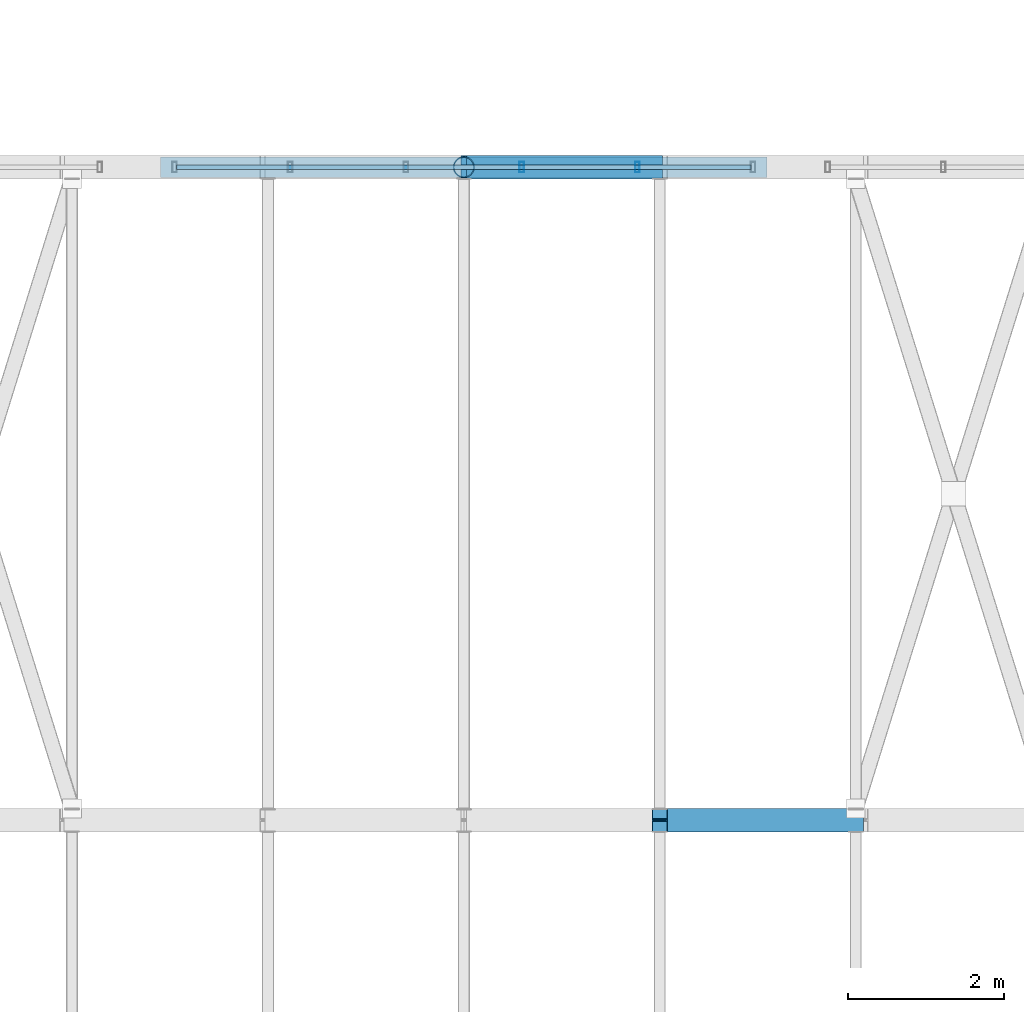
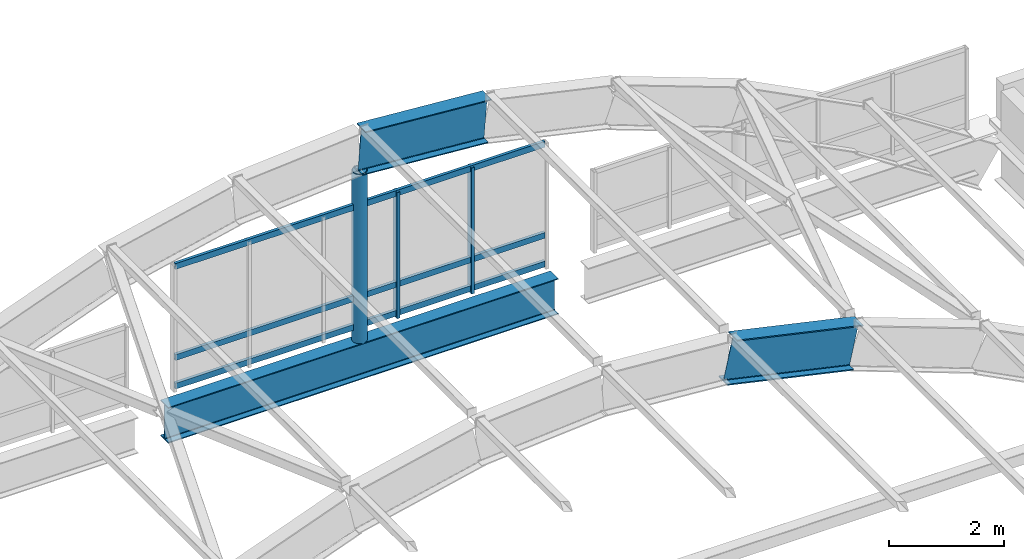
# One storey, part 16 of 130: 6 members, 3 beams, 1 element without a shape of its own.
"""IFC4 building model written with IfcOpenShell, lengths in metres."""

from ifc_helpers import new_model, si_unit, direction, frame, origin, origin_2d, place, context, subcontext, project, spatial, hollow_rectangle, hollow_circle, i_section, extrude, material, layer, layer_set, material_profile, profile_set, type_object, element, aggregate, save


model = new_model("IFC4")

# Units and contexts
model_context = context("Model", 3, precision=1e-05, world=origin(), true_north=direction((0.0, 1.0)))
body_context = subcontext(model_context, "Body", "Model", "MODEL_VIEW")
ifc_project = project(units=[si_unit("LENGTHUNIT", "METRE"), si_unit("AREAUNIT", "SQUARE_METRE"), si_unit("VOLUMEUNIT", "CUBIC_METRE"), si_unit("PLANEANGLEUNIT", "RADIAN"), si_unit("MASSUNIT", "GRAM", prefix="KILO")], contexts=[model_context])

# Site, building, storey
site_placement = place(None, origin())
site = spatial("IfcSite", under=ifc_project, at=site_placement, CompositionType="ELEMENT")
building_placement = place(site_placement, origin())
building = spatial("IfcBuilding", under=site, at=building_placement, Name="Vireocrest Preparatory School", CompositionType="ELEMENT")
storey_placement = place(building_placement, frame((0.0, 0.0, 9.0)))
storey = spatial("IfcBuildingStorey", under=building, at=storey_placement, Name="L02", CompositionType="ELEMENT", Elevation=9.0)

# Curtain wall, members
ifc_material_1 = material(Name="Thermally broken aluminium EN AW-6063-T6", Category="aluminium")
ifc_layer = layer(ifc_material_1, 0.179931640625)
ifc_layer_set = layer_set([ifc_layer], Name="Thermally broken aluminium EN AW-6063-T6")
curtain_wall_type = type_object("IfcCurtainWallType", Name="Vault Centre Gable Clerestory 8400x3800", PredefinedType="USERDEFINED", material=ifc_layer_set)
curtain_wall_placement = place(storey_placement, origin())
curtain_wall = element("IfcCurtainWall", 1, at=curtain_wall_placement, inside=storey, type_object=curtain_wall_type, Name="Curtain Wall CW14 CW_L02_CW14_0088_0522_090", ObjectType="CURTAIN WALL", PredefinedType="USERDEFINED")
ifc_material_profile_1 = material_profile(ifc_material_1, hollow_rectangle(XDim=0.06005859375, YDim=0.135009765625, WallThickness=0.00390625, at=origin_2d()), Name="ALU 60x135x4")
ifc_profile_set_1 = profile_set([ifc_material_profile_1], Name="Thermally broken aluminium EN AW-6063-T6")
member_type_1 = type_object("IfcMemberType", Name="CW Clerestory Mullion 60x135x4", PredefinedType="MULLION", material=ifc_profile_set_1)
member_1_placement = place(storey_placement, frame((13.343994140625, 52.199951171875, 0.0), z_axis=(0.0, 0.0, 1.0), x_axis=(1.0, 0.0, 0.0)))
member_1 = element("IfcMember", 2, at=member_1_placement, type_object=member_type_1, Name="CW Mullion ML6 CW_L02_CW14_0088_0522_090-4", PredefinedType="MULLION", context=body_context, shape_type="SweptSolid", body=[
    extrude(hollow_rectangle(XDim=0.06005859375, YDim=0.135009765625, WallThickness=0.00390625, at=origin_2d()), origin(), (0.0, 0.0, 1.0), 2.6650390625),
])
member_2_placement = place(storey_placement, frame((14.83203125, 52.199951171875, 0.0), z_axis=(0.0, 0.0, 1.0), x_axis=(1.0, 0.0, 0.0)))
member_2 = element("IfcMember", 3, at=member_2_placement, type_object=member_type_1, Name="CW Mullion ML6 CW_L02_CW14_0088_0522_090-5", PredefinedType="MULLION", context=body_context, shape_type="SweptSolid", body=[
    extrude(hollow_rectangle(XDim=0.06005859375, YDim=0.135009765625, WallThickness=0.00390625, at=origin_2d()), origin(), (0.0, 0.0, 1.0), 2.6650390625),
])
ifc_material_profile_2 = material_profile(ifc_material_1, hollow_rectangle(XDim=0.06005859375, YDim=0.125, WallThickness=0.00390625, at=origin_2d()), Name="ALU 60x125x4")
ifc_profile_set_2 = profile_set([ifc_material_profile_2], Name="Thermally broken aluminium EN AW-6063-T6")
member_type_2 = type_object("IfcMemberType", Name="CW Clerestory Transom 60x125x4", PredefinedType="USERDEFINED", material=ifc_profile_set_2)
member_3_placement = place(storey_placement, frame((8.905029296875, 52.199951171875, 0.094970703125), z_axis=(1.0, 0.0, 0.0), x_axis=(0.0, 1.0, 0.0)))
member_3 = element("IfcMember", 4, at=member_3_placement, type_object=member_type_2, Name="CW Transom TR6 CW_L02_CW14_0088_0522_090-1", ObjectType="TRANSOM", PredefinedType="USERDEFINED", context=body_context, shape_type="SweptSolid", body=[
    extrude(hollow_rectangle(XDim=0.06005859375, YDim=0.125, WallThickness=0.00390625, at=origin_2d()), origin(), (0.0, 0.0, 1.0), 7.389892578125),
])
member_4_placement = place(storey_placement, frame((8.905029296875, 52.199951171875, 0.699951171875), z_axis=(1.0, 0.0, 0.0), x_axis=(0.0, 1.0, 0.0)))
member_4 = element("IfcMember", 5, at=member_4_placement, type_object=member_type_2, Name="CW Transom TR6 CW_L02_CW14_0088_0522_090-2", ObjectType="TRANSOM", PredefinedType="USERDEFINED", context=body_context, shape_type="SweptSolid", body=[
    extrude(hollow_rectangle(XDim=0.06005859375, YDim=0.125, WallThickness=0.00390625, at=origin_2d()), origin(), (0.0, 0.0, 1.0), 7.389892578125),
])
member_5_placement = place(storey_placement, frame((8.905029296875, 52.199951171875, 2.625), z_axis=(1.0, 0.0, 0.0), x_axis=(0.0, 1.0, 0.0)))
member_5 = element("IfcMember", 6, at=member_5_placement, type_object=member_type_2, Name="CW Transom TR6 CW_L02_CW14_0088_0522_090-3", ObjectType="TRANSOM", PredefinedType="USERDEFINED", context=body_context, shape_type="SweptSolid", body=[
    extrude(hollow_rectangle(XDim=0.06005859375, YDim=0.125, WallThickness=0.00390625, at=origin_2d()), origin(), (0.0, 0.0, 1.0), 7.389892578125),
])
aggregate(curtain_wall, [member_1, member_2, member_3, member_4, member_5])

# Beams
ifc_material_2 = material(Name="Structural steel ASTM A992 Grade 50", Category="steel")
ifc_material_profile_3 = material_profile(ifc_material_2, i_section(OverallWidth=0.304931640625, OverallDepth=0.904052734375, WebThickness=0.01513671875, FlangeThickness=0.02001953125, FilletRadius=0.02392578125, at=origin_2d()), Name="W36X135")
ifc_profile_set_3 = profile_set([ifc_material_profile_3], Name="Structural steel ASTM A992 Grade 50")
beam_type_1 = type_object("IfcBeamType", Name="Sports Hall Barrel Vault Arch Rib W36X135", PredefinedType="BEAM", material=ifc_profile_set_3)
beam_1_placement = place(storey_placement, frame((12.60009765625, 52.199951171875, 3.792724609375), z_axis=(0.997017437862, 0.0, -0.077176606554), x_axis=(0.0, 1.0, 0.0)))
element("IfcBeam", 7, at=beam_1_placement, inside=storey, type_object=beam_type_1, Name="Sports Hall Barrel Vault Roof Arch Rib 6 Seg 6", PredefinedType="BEAM", context=body_context, shape_type="SweptSolid", body=[
    extrude(i_section(OverallWidth=0.304931640625, OverallDepth=0.904052734375, WebThickness=0.01513671875, FlangeThickness=0.02001953125, FilletRadius=0.02392578125, at=origin_2d()), origin(), (0.0, 0.0, 1.0), 2.527587890625),
])
ifc_material_profile_4 = material_profile(ifc_material_2, i_section(OverallWidth=0.304931640625, OverallDepth=0.912109375, WebThickness=0.015869140625, FlangeThickness=0.02392578125, FilletRadius=0.02392578125, at=origin_2d()), Name="W36X150")
ifc_profile_set_4 = profile_set([ifc_material_profile_4], Name="Structural steel ASTM A992 Grade 50")
beam_type_2 = type_object("IfcBeamType", Name="Sports Hall Barrel Vault Arch Rib W36X150", PredefinedType="BEAM", material=ifc_profile_set_4)
beam_2_placement = place(storey_placement, frame((15.1201171875, 43.800048828125, 3.583984375), z_axis=(0.975937226942, 0.0, -0.218051666053), x_axis=(0.0, 1.0, 0.0)))
element("IfcBeam", 8, at=beam_2_placement, inside=storey, type_object=beam_type_2, Name="Sports Hall Barrel Vault Roof Arch Rib 5 Seg 7", PredefinedType="BEAM", context=body_context, shape_type="SweptSolid", body=[
    extrude(i_section(OverallWidth=0.304931640625, OverallDepth=0.912109375, WebThickness=0.015869140625, FlangeThickness=0.02392578125, FilletRadius=0.02392578125, at=origin_2d()), origin(), (0.0, 0.0, 1.0), 2.581787109375),
])
ifc_material_profile_5 = material_profile(ifc_material_2, i_section(OverallWidth=0.26708984375, OverallDepth=0.758056640625, WebThickness=0.013916015625, FlangeThickness=0.019287109375, FilletRadius=0.01904296875, at=origin_2d()), Name="W30X108")
ifc_profile_set_5 = profile_set([ifc_material_profile_5], Name="Structural steel ASTM A992 Grade 50")
beam_type_3 = type_object("IfcBeamType", Name="Sports Hall Vault Ring Beam W30X108", PredefinedType="BEAM", material=ifc_profile_set_5)
beam_3_placement = place(storey_placement, frame((8.699951171875, 52.199951171875, -0.59912109375), z_axis=(1.0, 0.0, 0.0), x_axis=(0.0, 1.0, 0.0)))
element("IfcBeam", 9, at=beam_3_placement, inside=storey, type_object=beam_type_3, Name="Sports Hall Barrel Vault Roof Gable Ring Beam N-2", PredefinedType="BEAM", context=body_context, shape_type="SweptSolid", body=[
    extrude(i_section(OverallWidth=0.26708984375, OverallDepth=0.758056640625, WebThickness=0.013916015625, FlangeThickness=0.019287109375, FilletRadius=0.01904296875, at=origin_2d()), origin(), (0.0, 0.0, 1.0), 7.800048828125),
])

# Member
ifc_material_3 = material(Name="Painted white steel ASTM A500 Grade C", Category="steel")
ifc_material_profile_6 = material_profile(ifc_material_3, hollow_circle(Radius=0.136474609375, WallThickness=0.0126953125, at=origin_2d()), Name="HSS10.750X0.500")
ifc_profile_set_6 = profile_set([ifc_material_profile_6], Name="Painted white steel ASTM A500 Grade C")
member_type_3 = type_object("IfcMemberType", Name="White Steel Clerestory Strut HSS10.750X0.500", PredefinedType="USERDEFINED", material=ifc_profile_set_6)
member_6_placement = place(storey_placement, frame((12.60009765625, 52.199951171875, -0.239990234375), z_axis=(0.0, 0.0, 1.0), x_axis=(1.0, 0.0, 0.0)))
element("IfcMember", 10, at=member_6_placement, inside=storey, type_object=member_type_3, Name="Sports Hall Barrel Vault Roof Gable Mullion Post 6-5", ObjectType="STRUT", PredefinedType="USERDEFINED", context=body_context, shape_type="SweptSolid", body=[
    extrude(hollow_circle(Radius=0.136474609375, WallThickness=0.0126953125, at=origin_2d()), origin(), (0.0, 0.0, 1.0), 3.600830078125),
])

save(model, "model.ifc")
